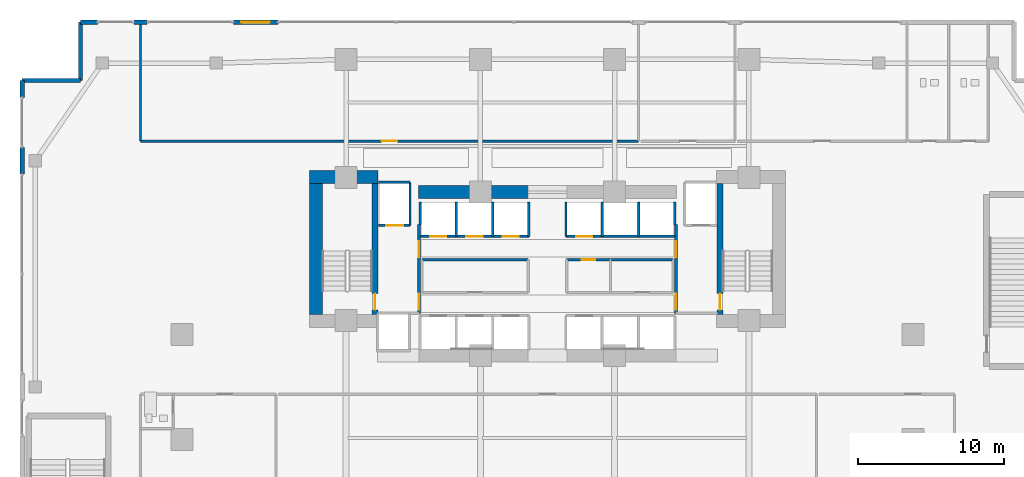
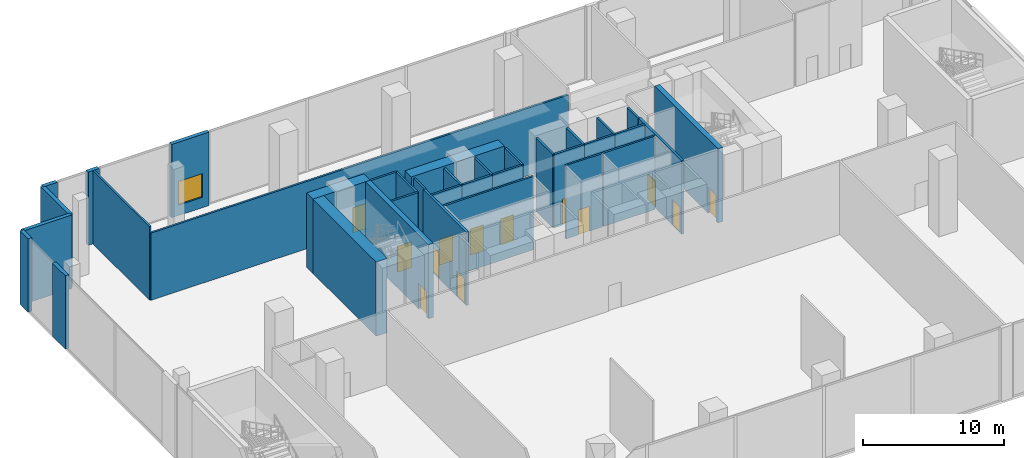
# One storey, part 24 of 30: 36 walls, 13 doors, 1 window, 14 openings.
"""IFC4 building model written with IfcOpenShell, lengths in metres."""

from ifc_helpers import new_model, si_unit, direction, frame, frame_2d, origin, place, context, subcontext, project, spatial, rectangle, extrude, material, layer, layer_set, type_object, element, fill, save


model = new_model("IFC4")

# Units and contexts
model_context = context("Model", 3, precision=1e-05, world=origin(), true_north=direction((0.0, 1.0)))
body_context = subcontext(model_context, "Body", "Model", "MODEL_VIEW")
ifc_project = project(units=[si_unit("LENGTHUNIT", "METRE"), si_unit("AREAUNIT", "SQUARE_METRE"), si_unit("VOLUMEUNIT", "CUBIC_METRE"), si_unit("PLANEANGLEUNIT", "RADIAN"), si_unit("MASSUNIT", "GRAM", prefix="KILO")], contexts=[model_context])

# Site, building, storey
site_placement = place(None, origin())
site = spatial("IfcSite", under=ifc_project, at=site_placement, CompositionType="ELEMENT")
building_placement = place(site_placement, origin())
building = spatial("IfcBuilding", under=site, at=building_placement, Name="Zuhayl Quay Hotel", CompositionType="ELEMENT")
storey_placement = place(building_placement, frame((0.0, 0.0, 11.39990234375)))
storey = spatial("IfcBuildingStorey", under=building, at=storey_placement, Name="L02", CompositionType="ELEMENT", Elevation=11.39990234375)

# Walls
ifc_material_1 = material(Name="Concrete C70/85", Category="concrete")
ifc_layer_1 = layer(ifc_material_1, 0.89990234375, Name="Concrete C70/85", Category="concrete")
ifc_layer_set_1 = layer_set([ifc_layer_1], Name="Concrete C70/85")
wall_type_1 = type_object("IfcWallType", Name="WL_CORE_900", PredefinedType="SHEAR", material=ifc_layer_set_1)
wall_1_placement = place(storey_placement, frame((-16.31005859375, 14.3798828125, 0.0), z_axis=(0.0, 0.0, 1.0), x_axis=(1.0, 0.0, 0.0)))
element("IfcWall", 1, at=wall_1_placement, inside=storey, type_object=wall_type_1, Name="L02 Core Shear Wall CW_NW", PredefinedType="SHEAR", context=body_context, shape_type="SweptSolid", body=[
    extrude(rectangle(XDim=4.7099609375, YDim=0.89990234375, at=frame_2d((2.35498046875, 0.0))), origin(), (0.0, 0.0, 1.0), 6.41015625),
])
wall_2_placement = place(storey_placement, frame((-15.860107421875, 4.969970703125, 0.0), z_axis=(0.0, 0.0, 1.0), x_axis=(0.0, 1.0, 0.0)))
element("IfcWall", 2, at=wall_2_placement, inside=storey, type_object=wall_type_1, Name="L02 Core Shear Wall CW_W", PredefinedType="SHEAR", context=body_context, shape_type="SweptSolid", body=[
    extrude(rectangle(XDim=8.9599609375, YDim=0.89990234375, at=frame_2d((4.47998046875, 0.0))), origin(), (0.0, 0.0, 1.0), 6.41015625),
])
wall_3_placement = place(storey_placement, frame((-8.85009765625, 13.35009765625, 0.0), z_axis=(0.0, 0.0, 1.0), x_axis=(1.0, 0.0, 0.0)))
element("IfcWall", 3, at=wall_3_placement, inside=storey, type_object=wall_type_1, Name="L02 Core Shear Wall CW_NC_W", PredefinedType="SHEAR", context=body_context, shape_type="SweptSolid", body=[
    extrude(rectangle(XDim=7.60009765625, YDim=0.89990234375, at=frame_2d((3.800048828125, 0.0))), origin(), (0.0, 0.0, 1.0), 6.340087890625),
])
ifc_material_2 = material(Name="Precast concrete C45/55", Category="concrete")
ifc_layer_2 = layer(ifc_material_2, 0.300048828125, Name="Precast concrete C45/55", Category="concrete")
ifc_layer_set_2 = layer_set([ifc_layer_2], Name="Precast concrete C45/55")
wall_type_2 = type_object("IfcWallType", Name="WL_EXT_300", PredefinedType="STANDARD", material=ifc_layer_set_2)
wall_4_placement = place(storey_placement, frame((-36.0, 14.580078125, 0.0), z_axis=(0.0, 0.0, 1.0), x_axis=(0.0, 1.0, 0.0)))
element("IfcWall", 4, at=wall_4_placement, inside=storey, type_object=wall_type_2, Name="L02 Exterior Precast Wall ENV_L02_E02_EW4", PredefinedType="STANDARD", context=body_context, shape_type="SweptSolid", body=[
    extrude(rectangle(XDim=1.83984375, YDim=0.300048828125, at=frame_2d((0.919921875, 0.0))), origin(), (0.0, 0.0, 1.0), 6.340087890625),
])
wall_5_placement = place(storey_placement, frame((-36.0, 19.85009765625, 0.0), z_axis=(0.0, 0.0, 1.0), x_axis=(0.0, 1.0, 0.0)))
element("IfcWall", 5, at=wall_5_placement, inside=storey, type_object=wall_type_2, Name="L02 Exterior Precast Wall ENV_L02_E02_EW5", PredefinedType="STANDARD", context=body_context, shape_type="SweptSolid", body=[
    extrude(rectangle(XDim=1.14990234375, YDim=0.300048828125, at=frame_2d((0.574951171875, 0.0))), origin(), (0.0, 0.0, 1.0), 6.340087890625),
])
for number, where, z_axis, x_axis, name in (
    (6, (-36.0, 21.0, 0.0), (0.0, 0.0, 1.0), (1.0, 0.0, 0.0), "L02 Exterior Precast Wall ENV_L02_EW03"),
    (7, (-32.0, 21.0, 0.0), (0.0, 0.0, 1.0), (0.0, 1.0, 0.0), "L02 Exterior Precast Wall ENV_L02_EW04"),
):
    element("IfcWall", number, at=place(storey_placement, frame(where, z_axis=z_axis, x_axis=x_axis)), inside=storey, type_object=wall_type_2, Name=name, PredefinedType="STANDARD", context=body_context, shape_type="SweptSolid", body=[
        extrude(rectangle(XDim=4.0, YDim=0.300048828125, at=frame_2d((2.0, 0.0))), origin(), (0.0, 0.0, 1.0), 6.340087890625),
    ])
wall_6_placement = place(storey_placement, frame((-32.0, 25.0, 0.0), z_axis=(0.0, 0.0, 1.0), x_axis=(1.0, 0.0, 0.0)))
element("IfcWall", 8, at=wall_6_placement, inside=storey, type_object=wall_type_2, Name="L02 Exterior Precast Wall ENV_L02_E05_EW1", PredefinedType="STANDARD", context=body_context, shape_type="SweptSolid", body=[
    extrude(rectangle(XDim=1.14990234375, YDim=0.300048828125, at=frame_2d((0.574951171875, 0.0))), origin(), (0.0, 0.0, 1.0), 6.340087890625),
])
wall_7_placement = place(storey_placement, frame((-28.35009765625, 25.0, 0.0), z_axis=(0.0, 0.0, 1.0), x_axis=(1.0, 0.0, 0.0)))
element("IfcWall", 9, at=wall_7_placement, inside=storey, type_object=wall_type_2, Name="L02 Exterior Precast Wall ENV_L02_E05_EW2", PredefinedType="STANDARD", context=body_context, shape_type="SweptSolid", body=[
    extrude(rectangle(XDim=0.900146484375, YDim=0.300048828125, at=frame_2d((0.4501953125, 0.0))), origin(), (0.0, 0.0, 1.0), 6.340087890625),
])

# Wall, opening, window
wall_8_placement = place(storey_placement, frame((-21.52490234375, 25.0, 0.0), z_axis=(0.0, 0.0, 1.0), x_axis=(1.0, 0.0, 0.0)))
wall_8 = element("IfcWall", 10, at=wall_8_placement, inside=storey, type_object=wall_type_2, Name="L02 Exterior Precast Wall ENV_L02_E05_EW3", PredefinedType="STANDARD", context=body_context, shape_type="SweptSolid", body=[
    extrude(rectangle(XDim=3.0498046875, YDim=0.300048828125, at=frame_2d((1.52490234375, 0.0))), origin(), (0.0, 0.0, 1.0), 6.340087890625),
])
opening_1_placement = place(wall_8_placement, frame((0.550048828125, 0.0, 0.89990234375)))
opening_1 = element("IfcOpeningElement", 11, at=opening_1_placement, cuts=wall_8, Name="Opening W03", PredefinedType="OPENING", context=body_context, shape_type="SweptSolid", body=[
    extrude(rectangle(XDim=1.949951171875, YDim=2.050048828125, at=frame_2d((0.97509765625, 1.02490234375))), frame((0.0, 0.159912109375, 0.0), z_axis=(0.0, -1.0, 0.0), x_axis=(1.0, 0.0, 0.0)), (0.0, 0.0, 1.0), 0.320068359375),
])
ifc_material_3 = material(Name="Low-E Insulated Clear Vision Glass", Category="glass")
window_type = type_object("IfcWindowType", Name="WN_POD_1950", PartitioningType="DOUBLE_PANEL_VERTICAL", PredefinedType="WINDOW", material=ifc_material_3)
window_placement = place(opening_1_placement, origin())
window = element("IfcWindow", 12, at=window_placement, inside=storey, type_object=window_type, Name="L02 Seaward Salon Vision Window", OverallHeight=2.050048828125, OverallWidth=1.949951171875, PartitioningType="SINGLE_PANEL", PredefinedType="WINDOW", context=body_context, shape_type="SweptSolid", body=[
    extrude(rectangle(XDim=1.949951171875, YDim=2.050048828125, at=frame_2d((0.97509765625, 1.02490234375))), frame((0.0, 0.030029296875, 0.0), z_axis=(0.0, -1.0, 0.0), x_axis=(1.0, 0.0, 0.0)), (0.0, 0.0, 1.0), 0.06005859375),
])
fill(opening_1, window)

# Wall, opening, door
ifc_material_4 = material(Name="Acoustic Gypsum Partition STC-58")
ifc_layer_3 = layer(ifc_material_4, 0.14990234375, Name="Acoustic Gypsum Partition STC-58")
ifc_layer_set_3 = layer_set([ifc_layer_3], Name="Acoustic Gypsum Partition STC-58")
wall_type_3 = type_object("IfcWallType", Name="WL_PART_150", PredefinedType="PARTITIONING", material=ifc_layer_set_3)
wall_9_placement = place(storey_placement, frame((1.320068359375, 8.719970703125, 0.0), z_axis=(0.0, 0.0, 1.0), x_axis=(1.0, 0.0, 0.0)))
wall_9 = element("IfcWall", 13, at=wall_9_placement, inside=storey, type_object=wall_type_3, Name="L02 Partition IW_L02_CORE_IT_N", PredefinedType="PARTITIONING", context=body_context, shape_type="SweptSolid", body=[
    extrude(rectangle(XDim=2.989990234375, YDim=0.14990234375, at=frame_2d((1.4951171875, 0.0))), origin(), (0.0, 0.0, 1.0), 6.340087890625),
])
opening_2_placement = place(wall_9_placement, frame((1.044921875, 0.0, 0.0)))
opening_2 = element("IfcOpeningElement", 14, at=opening_2_placement, cuts=wall_9, Name="Opening D06", PredefinedType="OPENING", context=body_context, shape_type="SweptSolid", body=[
    extrude(rectangle(XDim=0.89990234375, YDim=2.14990234375, at=frame_2d((0.449951171875, 1.074951171875))), frame((0.0, 0.0849609375, 0.0), z_axis=(0.0, -1.0, 0.0), x_axis=(1.0, 0.0, 0.0)), (0.0, 0.0, 1.0), 0.169921875),
])
ifc_material_5 = material(Name="Steel ASTM A992 Grade 50", Category="steel")
door_type_1 = type_object("IfcDoorType", Name="DR_INT_900", OperationType="NOTDEFINED", PredefinedType="DOOR", material=ifc_material_5)
door_1_placement = place(opening_2_placement, origin())
door_1 = element("IfcDoor", 15, at=door_1_placement, inside=storey, type_object=door_type_1, Name="L02 Telecom Closet Door", OperationType="SINGLE_SWING_LEFT", OverallHeight=2.14990234375, OverallWidth=0.89990234375, PredefinedType="DOOR", context=body_context, shape_type="SweptSolid", body=[
    extrude(rectangle(XDim=0.89990234375, YDim=2.14990234375, at=frame_2d((0.449951171875, 1.074951171875))), frame((0.0, 0.02490234375, 0.0), z_axis=(0.0, -1.0, 0.0), x_axis=(1.0, 0.0, 0.0)), (0.0, 0.0, 1.0), 0.050048828125),
])
fill(opening_2, door_1)

# Walls
wall_10_placement = place(storey_placement, frame((-8.610107421875, 8.719970703125, 0.0), z_axis=(0.0, 0.0, 1.0), x_axis=(1.0, 0.0, 0.0)))
element("IfcWall", 16, at=wall_10_placement, inside=storey, type_object=wall_type_3, Name="L02 Partition IW_L02_CORE_EL_N", PredefinedType="PARTITIONING", context=body_context, shape_type="SweptSolid", body=[
    extrude(rectangle(XDim=7.2900390625, YDim=0.14990234375, at=frame_2d((3.64501953125, 0.0))), origin(), (0.0, 0.0, 1.0), 6.340087890625),
])
wall_11_placement = place(storey_placement, frame((4.3701171875, 8.719970703125, 0.0), z_axis=(0.0, 0.0, 1.0), x_axis=(1.0, 0.0, 0.0)))
element("IfcWall", 17, at=wall_11_placement, inside=storey, type_object=wall_type_3, Name="L02 Partition IW_L02_CORE_LN_N", PredefinedType="PARTITIONING", context=body_context, shape_type="SweptSolid", body=[
    extrude(rectangle(XDim=4.239990234375, YDim=0.14990234375, at=frame_2d((2.1201171875, 0.0))), origin(), (0.0, 0.0, 1.0), 6.340087890625),
])
wall_12_placement = place(storey_placement, frame((-27.89990234375, 16.85009765625, 0.0), z_axis=(0.0, 0.0, 1.0), x_axis=(0.0, 1.0, 0.0)))
element("IfcWall", 18, at=wall_12_placement, inside=storey, type_object=wall_type_3, Name="L02 Partition IW_L02_SEA_FOYER_W", PredefinedType="PARTITIONING", context=body_context, shape_type="SweptSolid", body=[
    extrude(rectangle(XDim=8.08984375, YDim=0.14990234375, at=frame_2d((4.044921875, 0.0))), origin(), (0.0, 0.0, 1.0), 6.340087890625),
])

# Wall, opening, door
ifc_layer_4 = layer(ifc_material_4, 0.159912109375, Name="Acoustic Gypsum Partition STC-58")
ifc_layer_set_4 = layer_set([ifc_layer_4], Name="Acoustic Gypsum Partition STC-58")
wall_type_4 = type_object("IfcWallType", Name="WL_PART_CORR_160", PredefinedType="PARTITIONING", material=ifc_layer_set_4)
wall_13_placement = place(storey_placement, frame((-27.89990234375, 16.85009765625, 0.0), z_axis=(0.0, 0.0, 1.0), x_axis=(1.0, 0.0, 0.0)))
wall_13 = element("IfcWall", 19, at=wall_13_placement, inside=storey, type_object=wall_type_4, Name="L02 Partition IW_L02_SEA_FOYER_S", PredefinedType="PARTITIONING", context=body_context, shape_type="SweptSolid", body=[
    extrude(rectangle(XDim=34.139892578125, YDim=0.159912109375, at=frame_2d((17.06982421875, 0.0))), origin(), (0.0, 0.0, 1.0), 5.80712890625),
])
opening_3_placement = place(wall_13_placement, frame((16.530029296875, 0.0, 0.0)))
opening_3 = element("IfcOpeningElement", 20, at=opening_3_placement, cuts=wall_13, Name="Opening D05A", PredefinedType="OPENING", context=body_context, shape_type="SweptSolid", body=[
    extrude(rectangle(XDim=1.080078125, YDim=2.179931640625, at=frame_2d((0.5400390625, 1.08984375))), frame((0.0, 0.08984375, 0.0), z_axis=(0.0, -1.0, 0.0), x_axis=(1.0, 0.0, 0.0)), (0.0, 0.0, 1.0), 0.179931640625),
])
ifc_material_6 = material(Name="Solid Walnut Acoustic Fire Door")
door_type_2 = type_object("IfcDoorType", Name="DR_INT_1100", OperationType="NOTDEFINED", PredefinedType="DOOR", material=ifc_material_6)
door_2_placement = place(opening_3_placement, origin())
door_2 = element("IfcDoor", 21, at=door_2_placement, inside=storey, type_object=door_type_2, Name="L02 Ballroom Event Planning Office Door", OperationType="SINGLE_SWING_LEFT", OverallHeight=2.179931640625, OverallWidth=1.080078125, PredefinedType="DOOR", context=body_context, shape_type="SweptSolid", body=[
    extrude(rectangle(XDim=1.080078125, YDim=2.179931640625, at=frame_2d((0.5400390625, 1.08984375))), frame((0.0, 0.02490234375, 0.0), z_axis=(0.0, -1.0, 0.0), x_axis=(1.0, 0.0, 0.0)), (0.0, 0.0, 1.0), 0.050048828125),
])
fill(opening_3, door_2)

ifc_material_7 = material(Name="Gypsum Fireboard Assembly EI-90")
ifc_layer_5 = layer(ifc_material_7, 0.1650390625, Name="Gypsum Fireboard Assembly EI-90")
ifc_layer_set_5 = layer_set([ifc_layer_5], Name="Gypsum Fireboard Assembly EI-90")
wall_type_5 = type_object("IfcWallType", Name="WL_PART_SHAFT_160", PredefinedType="PARTITIONING", material=ifc_layer_set_5)
wall_14_placement = place(storey_placement, frame((-11.580078125, 11.070068359375, 0.0), z_axis=(0.0, 0.0, 1.0), x_axis=(1.0, 0.0, 0.0)))
wall_14 = element("IfcWall", 22, at=wall_14_placement, inside=storey, type_object=wall_type_5, Name="L02 Partition IW_L02_SH_FL1_F", PredefinedType="PARTITIONING", context=body_context, shape_type="SweptSolid", body=[
    extrude(rectangle(XDim=2.16015625, YDim=0.1650390625, at=frame_2d((1.080078125, 0.0))), origin(), (0.0, 0.0, 1.0), 6.340087890625),
])
opening_4_placement = place(wall_14_placement, frame((0.530029296875, 0.0, 0.0)))
opening_4 = element("IfcOpeningElement", 23, at=opening_4_placement, cuts=wall_14, Name="Opening LD2", PredefinedType="OPENING", context=body_context, shape_type="SweptSolid", body=[
    extrude(rectangle(XDim=1.14990234375, YDim=2.25, at=frame_2d((0.574951171875, 1.125))), frame((0.0, 0.092529296875, 0.0), z_axis=(0.0, -1.0, 0.0), x_axis=(1.0, 0.0, 0.0)), (0.0, 0.0, 1.0), 0.18505859375),
])
ifc_material_8 = material(Name="Brushed Stainless Steel", Category="steel")
door_type_3 = type_object("IfcDoorType", Name="DR_LIFT_FF_1100", OperationType="SLIDING_TO_LEFT", PredefinedType="DOOR", material=ifc_material_8)
door_3_placement = place(opening_4_placement, origin())
door_3 = element("IfcDoor", 24, at=door_3_placement, inside=storey, type_object=door_type_3, Name="L02 Lift FL1 Sliding Landing Door", OperationType="SLIDING_TO_LEFT", OverallHeight=2.25, OverallWidth=1.14990234375, PredefinedType="DOOR", context=body_context, shape_type="SweptSolid", body=[
    extrude(rectangle(XDim=1.14990234375, YDim=2.25, at=frame_2d((0.574951171875, 1.125))), frame((0.0, 0.02490234375, 0.0), z_axis=(0.0, -1.0, 0.0), x_axis=(1.0, 0.0, 0.0)), (0.0, 0.0, 1.0), 0.050048828125),
])
fill(opening_4, door_3)

wall_15_placement = place(storey_placement, frame((-8.72998046875, 10.320068359375, 0.0), z_axis=(0.0, 0.0, 1.0), x_axis=(1.0, 0.0, 0.0)))
wall_15 = element("IfcWall", 25, at=wall_15_placement, inside=storey, type_object=wall_type_5, Name="L02 Partition IW_L02_SH_LP3_F", PredefinedType="PARTITIONING", context=body_context, shape_type="SweptSolid", body=[
    extrude(rectangle(XDim=2.47998046875, YDim=0.1650390625, at=frame_2d((1.239990234375, 0.0))), origin(), (0.0, 0.0, 1.0), 6.340087890625),
])
opening_5_placement = place(wall_15_placement, frame((0.68994140625, 0.0, 0.0)))
opening_5 = element("IfcOpeningElement", 26, at=opening_5_placement, cuts=wall_15, Name="Opening LD1", PredefinedType="OPENING", context=body_context, shape_type="SweptSolid", body=[
    extrude(rectangle(XDim=1.10009765625, YDim=2.25, at=frame_2d((0.550048828125, 1.125))), frame((0.0, 0.092529296875, 0.0), z_axis=(0.0, -1.0, 0.0), x_axis=(1.0, 0.0, 0.0)), (0.0, 0.0, 1.0), 0.18505859375),
])
door_type_4 = type_object("IfcDoorType", Name="DR_LIFT_PASS_1100", OperationType="SLIDING_TO_LEFT", PredefinedType="DOOR", material=ifc_material_8)
door_4_placement = place(opening_5_placement, origin())
door_4 = element("IfcDoor", 27, at=door_4_placement, inside=storey, type_object=door_type_4, Name="L02 Lift LP3 Sliding Landing Door", OperationType="SLIDING_TO_LEFT", OverallHeight=2.25, OverallWidth=1.10009765625, PredefinedType="DOOR", context=body_context, shape_type="SweptSolid", body=[
    extrude(rectangle(XDim=1.10009765625, YDim=2.25, at=frame_2d((0.550048828125, 1.125))), frame((0.0, 0.02490234375, 0.0), z_axis=(0.0, -1.0, 0.0), x_axis=(1.0, 0.0, 0.0)), (0.0, 0.0, 1.0), 0.050048828125),
])
fill(opening_5, door_4)

wall_16_placement = place(storey_placement, frame((-6.25, 10.320068359375, 0.0), z_axis=(0.0, 0.0, 1.0), x_axis=(1.0, 0.0, 0.0)))
wall_16 = element("IfcWall", 28, at=wall_16_placement, inside=storey, type_object=wall_type_5, Name="L02 Partition IW_L02_SH_LP4_F", PredefinedType="PARTITIONING", context=body_context, shape_type="SweptSolid", body=[
    extrude(rectangle(XDim=2.5, YDim=0.1650390625, at=frame_2d((1.25, 0.0))), origin(), (0.0, 0.0, 1.0), 6.340087890625),
])
opening_6_placement = place(wall_16_placement, frame((0.699951171875, 0.0, 0.0)))
opening_6 = element("IfcOpeningElement", 29, at=opening_6_placement, cuts=wall_16, Name="Opening LD1", PredefinedType="OPENING", context=body_context, shape_type="SweptSolid", body=[
    extrude(rectangle(XDim=1.10009765625, YDim=2.25, at=frame_2d((0.550048828125, 1.125))), frame((0.0, 0.092529296875, 0.0), z_axis=(0.0, -1.0, 0.0), x_axis=(1.0, 0.0, 0.0)), (0.0, 0.0, 1.0), 0.18505859375),
])
door_5_placement = place(opening_6_placement, origin())
door_5 = element("IfcDoor", 30, at=door_5_placement, inside=storey, type_object=door_type_4, Name="L02 Lift LP4 Sliding Landing Door", OperationType="SLIDING_TO_LEFT", OverallHeight=2.25, OverallWidth=1.10009765625, PredefinedType="DOOR", context=body_context, shape_type="SweptSolid", body=[
    extrude(rectangle(XDim=1.10009765625, YDim=2.25, at=frame_2d((0.550048828125, 1.125))), frame((0.0, 0.02490234375, 0.0), z_axis=(0.0, -1.0, 0.0), x_axis=(1.0, 0.0, 0.0)), (0.0, 0.0, 1.0), 0.050048828125),
])
fill(opening_6, door_5)

wall_17_placement = place(storey_placement, frame((-3.75, 10.320068359375, 0.0), z_axis=(0.0, 0.0, 1.0), x_axis=(1.0, 0.0, 0.0)))
wall_17 = element("IfcWall", 31, at=wall_17_placement, inside=storey, type_object=wall_type_5, Name="L02 Partition IW_L02_SH_MP3_F", PredefinedType="PARTITIONING", context=body_context, shape_type="SweptSolid", body=[
    extrude(rectangle(XDim=2.47998046875, YDim=0.1650390625, at=frame_2d((1.239990234375, 0.0))), origin(), (0.0, 0.0, 1.0), 6.340087890625),
])
opening_7_placement = place(wall_17_placement, frame((0.68994140625, 0.0, 0.0)))
opening_7 = element("IfcOpeningElement", 32, at=opening_7_placement, cuts=wall_17, Name="Opening LD1", PredefinedType="OPENING", context=body_context, shape_type="SweptSolid", body=[
    extrude(rectangle(XDim=1.10009765625, YDim=2.25, at=frame_2d((0.550048828125, 1.125))), frame((0.0, 0.092529296875, 0.0), z_axis=(0.0, -1.0, 0.0), x_axis=(1.0, 0.0, 0.0)), (0.0, 0.0, 1.0), 0.18505859375),
])
door_6_placement = place(opening_7_placement, origin())
door_6 = element("IfcDoor", 33, at=door_6_placement, inside=storey, type_object=door_type_4, Name="L02 Lift MP3 Sliding Landing Door", OperationType="SLIDING_TO_LEFT", OverallHeight=2.25, OverallWidth=1.10009765625, PredefinedType="DOOR", context=body_context, shape_type="SweptSolid", body=[
    extrude(rectangle(XDim=1.10009765625, YDim=2.25, at=frame_2d((0.550048828125, 1.125))), frame((0.0, 0.02490234375, 0.0), z_axis=(0.0, -1.0, 0.0), x_axis=(1.0, 0.0, 0.0)), (0.0, 0.0, 1.0), 0.050048828125),
])
fill(opening_7, door_6)

wall_18_placement = place(storey_placement, frame((1.27001953125, 10.320068359375, 0.0), z_axis=(0.0, 0.0, 1.0), x_axis=(1.0, 0.0, 0.0)))
wall_18 = element("IfcWall", 34, at=wall_18_placement, inside=storey, type_object=wall_type_5, Name="L02 Partition IW_L02_SH_MP4_F", PredefinedType="PARTITIONING", context=body_context, shape_type="SweptSolid", body=[
    extrude(rectangle(XDim=2.47998046875, YDim=0.1650390625, at=frame_2d((1.239990234375, 0.0))), origin(), (0.0, 0.0, 1.0), 6.340087890625),
])
opening_8_placement = place(wall_18_placement, frame((0.68994140625, 0.0, 0.0)))
opening_8 = element("IfcOpeningElement", 35, at=opening_8_placement, cuts=wall_18, Name="Opening LD1", PredefinedType="OPENING", context=body_context, shape_type="SweptSolid", body=[
    extrude(rectangle(XDim=1.10009765625, YDim=2.25, at=frame_2d((0.550048828125, 1.125))), frame((0.0, 0.092529296875, 0.0), z_axis=(0.0, -1.0, 0.0), x_axis=(1.0, 0.0, 0.0)), (0.0, 0.0, 1.0), 0.18505859375),
])
door_7_placement = place(opening_8_placement, origin())
door_7 = element("IfcDoor", 36, at=door_7_placement, inside=storey, type_object=door_type_4, Name="L02 Lift MP4 Sliding Landing Door", OperationType="SLIDING_TO_LEFT", OverallHeight=2.25, OverallWidth=1.10009765625, PredefinedType="DOOR", context=body_context, shape_type="SweptSolid", body=[
    extrude(rectangle(XDim=1.10009765625, YDim=2.25, at=frame_2d((0.550048828125, 1.125))), frame((0.0, 0.02490234375, 0.0), z_axis=(0.0, -1.0, 0.0), x_axis=(1.0, 0.0, 0.0)), (0.0, 0.0, 1.0), 0.050048828125),
])
fill(opening_8, door_7)

# Walls
wall_19_placement = place(storey_placement, frame((-9.419921875, 11.070068359375, 0.0), z_axis=(0.0, 0.0, 1.0), x_axis=(0.0, 1.0, 0.0)))
element("IfcWall", 37, at=wall_19_placement, inside=storey, type_object=wall_type_5, Name="L02 Partition IW_L02_SH_FL1_E", PredefinedType="PARTITIONING", context=body_context, shape_type="SweptSolid", body=[
    extrude(rectangle(XDim=2.9599609375, YDim=0.1650390625, at=frame_2d((1.47998046875, 0.0))), origin(), (0.0, 0.0, 1.0), 6.340087890625),
])
wall_20_placement = place(storey_placement, frame((-11.580078125, 14.030029296875, 0.0), z_axis=(0.0, 0.0, 1.0), x_axis=(1.0, 0.0, 0.0)))
element("IfcWall", 38, at=wall_20_placement, inside=storey, type_object=wall_type_5, Name="L02 Partition IW_L02_SH_FL1_B", PredefinedType="PARTITIONING", context=body_context, shape_type="SweptSolid", body=[
    extrude(rectangle(XDim=2.16015625, YDim=0.1650390625, at=frame_2d((1.080078125, 0.0))), origin(), (0.0, 0.0, 1.0), 6.340087890625),
])
wall_21_placement = place(storey_placement, frame((-8.72998046875, 11.14990234375, 0.0), z_axis=(0.0, 0.0, 1.0), x_axis=(0.0, 1.0, 0.0)))
element("IfcWall", 39, at=wall_21_placement, inside=storey, type_object=wall_type_5, Name="L02 Partition IW_L02_SH_LP3_W", PredefinedType="PARTITIONING", context=body_context, shape_type="SweptSolid", body=[
    extrude(rectangle(XDim=1.530029296875, YDim=0.1650390625, at=frame_2d((0.76513671875, 0.0))), origin(), (0.0, 0.0, 1.0), 6.340087890625),
])
for number, where, z_axis, x_axis, name in (
    (40, (-6.25, 10.320068359375, 0.0), (0.0, 0.0, 1.0), (0.0, 1.0, 0.0), "L02 Partition IW_L02_SH_LP3_E"),
    (41, (-3.75, 10.320068359375, 0.0), (0.0, 0.0, 1.0), (0.0, 1.0, 0.0), "L02 Partition IW_L02_SH_LP4_E"),
    (42, (-1.27001953125, 10.320068359375, 0.0), (0.0, 0.0, 1.0), (0.0, 1.0, 0.0), "L02 Partition IW_L02_SH_MP3_E"),
    (43, (1.27001953125, 10.320068359375, 0.0), (0.0, 0.0, 1.0), (0.0, 1.0, 0.0), "L02 Partition IW_L02_SH_MP4_W"),
    (44, (3.75, 10.320068359375, 0.0), (0.0, 0.0, 1.0), (0.0, 1.0, 0.0), "L02 Partition IW_L02_SH_MP4_E"),
):
    element("IfcWall", number, at=place(storey_placement, frame(where, z_axis=z_axis, x_axis=x_axis)), inside=storey, type_object=wall_type_5, Name=name, PredefinedType="PARTITIONING", context=body_context, shape_type="SweptSolid", body=[
        extrude(rectangle(XDim=2.35986328125, YDim=0.1650390625, at=frame_2d((1.179931640625, 0.0))), origin(), (0.0, 0.0, 1.0), 6.340087890625),
    ])
wall_22_placement = place(storey_placement, frame((3.75, 10.320068359375, 0.0), z_axis=(0.0, 0.0, 1.0), x_axis=(1.0, 0.0, 0.0)))
element("IfcWall", 45, at=wall_22_placement, inside=storey, type_object=wall_type_5, Name="L02 Partition IW_L02_SH_HP3_F", PredefinedType="PARTITIONING", context=body_context, shape_type="SweptSolid", body=[
    extrude(rectangle(XDim=2.5, YDim=0.1650390625, at=frame_2d((1.25, 0.0))), origin(), (0.0, 0.0, 1.0), 6.340087890625),
])
wall_23_placement = place(storey_placement, frame((6.25, 10.320068359375, 0.0), z_axis=(0.0, 0.0, 1.0), x_axis=(0.0, 1.0, 0.0)))
element("IfcWall", 46, at=wall_23_placement, inside=storey, type_object=wall_type_5, Name="L02 Partition IW_L02_SH_HP3_E", PredefinedType="PARTITIONING", context=body_context, shape_type="SweptSolid", body=[
    extrude(rectangle(XDim=2.35986328125, YDim=0.1650390625, at=frame_2d((1.179931640625, 0.0))), origin(), (0.0, 0.0, 1.0), 6.340087890625),
])
wall_24_placement = place(storey_placement, frame((6.25, 10.320068359375, 0.0), z_axis=(0.0, 0.0, 1.0), x_axis=(1.0, 0.0, 0.0)))
element("IfcWall", 47, at=wall_24_placement, inside=storey, type_object=wall_type_5, Name="L02 Partition IW_L02_SH_HP4_F", PredefinedType="PARTITIONING", context=body_context, shape_type="SweptSolid", body=[
    extrude(rectangle(XDim=2.47998046875, YDim=0.1650390625, at=frame_2d((1.239990234375, 0.0))), origin(), (0.0, 0.0, 1.0), 6.340087890625),
])
wall_25_placement = place(storey_placement, frame((8.72998046875, 11.14990234375, 0.0), z_axis=(0.0, 0.0, 1.0), x_axis=(0.0, 1.0, 0.0)))
element("IfcWall", 48, at=wall_25_placement, inside=storey, type_object=wall_type_5, Name="L02 Partition IW_L02_SH_HP4_E", PredefinedType="PARTITIONING", context=body_context, shape_type="SweptSolid", body=[
    extrude(rectangle(XDim=1.530029296875, YDim=0.1650390625, at=frame_2d((0.76513671875, 0.0))), origin(), (0.0, 0.0, 1.0), 6.340087890625),
])

# Wall, openings, doors
ifc_material_9 = material(Name="Gypsum Fireboard Assembly EI-120")
ifc_layer_6 = layer(ifc_material_9, 0.199951171875, Name="Gypsum Fireboard Assembly EI-120")
ifc_layer_set_6 = layer_set([ifc_layer_6], Name="Gypsum Fireboard Assembly EI-120")
wall_type_6 = type_object("IfcWallType", Name="WL_PART_SHAFT_200", PredefinedType="PARTITIONING", material=ifc_layer_set_6)
wall_26_placement = place(storey_placement, frame((-8.800048828125, 5.050048828125, 0.0), z_axis=(0.0, 0.0, 1.0), x_axis=(0.0, 1.0, 0.0)))
wall_26 = element("IfcWall", 49, at=wall_26_placement, inside=storey, type_object=wall_type_6, Name="L02 Partition IW_L02_FSAE_W_E", PredefinedType="PARTITIONING", context=body_context, shape_type="SweptSolid", body=[
    extrude(rectangle(XDim=6.099853515625, YDim=0.199951171875, at=frame_2d((3.0498046875, 0.0))), origin(), (0.0, 0.0, 1.0), 6.340087890625),
])
opening_9_placement = place(wall_26_placement, frame((0.25, 0.0, 0.0)))
opening_9 = element("IfcOpeningElement", 50, at=opening_9_placement, cuts=wall_26, Name="Opening D02", PredefinedType="OPENING", context=body_context, shape_type="SweptSolid", body=[
    extrude(rectangle(XDim=1.10009765625, YDim=2.199951171875, at=frame_2d((0.550048828125, 1.10009765625))), frame((0.0, 0.10986328125, 0.0), z_axis=(0.0, -1.0, 0.0), x_axis=(1.0, 0.0, 0.0)), (0.0, 0.0, 1.0), 0.219970703125),
])
opening_10_placement = place(wall_26_placement, frame((3.85009765625, 0.0, 0.0)))
opening_10 = element("IfcOpeningElement", 51, at=opening_10_placement, cuts=wall_26, Name="Opening D02", PredefinedType="OPENING", context=body_context, shape_type="SweptSolid", body=[
    extrude(rectangle(XDim=1.10009765625, YDim=2.199951171875, at=frame_2d((0.550048828125, 1.10009765625))), frame((0.0, 0.10986328125, 0.0), z_axis=(0.0, -1.0, 0.0), x_axis=(1.0, 0.0, 0.0)), (0.0, 0.0, 1.0), 0.219970703125),
])
door_type_5 = type_object("IfcDoorType", Name="DR_FIRE_90_1100", OperationType="NOTDEFINED", PredefinedType="DOOR", material=ifc_material_5)
door_8_placement = place(opening_9_placement, origin())
door_8 = element("IfcDoor", 52, at=door_8_placement, inside=storey, type_object=door_type_5, Name="L02 FSAE Lobby West South Entry Door", OperationType="SINGLE_SWING_RIGHT", OverallHeight=2.199951171875, OverallWidth=1.10009765625, PredefinedType="DOOR", context=body_context, shape_type="SweptSolid", body=[
    extrude(rectangle(XDim=1.10009765625, YDim=2.199951171875, at=frame_2d((0.550048828125, 1.10009765625))), frame((0.0, 0.02490234375, 0.0), z_axis=(0.0, -1.0, 0.0), x_axis=(1.0, 0.0, 0.0)), (0.0, 0.0, 1.0), 0.050048828125),
])
fill(opening_9, door_8)
door_9_placement = place(opening_10_placement, origin())
door_9 = element("IfcDoor", 53, at=door_9_placement, inside=storey, type_object=door_type_5, Name="L02 FSAE Lobby West North Entry Door", OperationType="SINGLE_SWING_LEFT", OverallHeight=2.199951171875, OverallWidth=1.10009765625, PredefinedType="DOOR", context=body_context, shape_type="SweptSolid", body=[
    extrude(rectangle(XDim=1.10009765625, YDim=2.199951171875, at=frame_2d((0.550048828125, 1.10009765625))), frame((0.0, 0.02490234375, 0.0), z_axis=(0.0, -1.0, 0.0), x_axis=(1.0, 0.0, 0.0)), (0.0, 0.0, 1.0), 0.050048828125),
])
fill(opening_10, door_9)

wall_27_placement = place(storey_placement, frame((8.800048828125, 11.14990234375, 0.0), z_axis=(0.0, 0.0, 1.0), x_axis=(0.0, -1.0, 0.0)))
wall_27 = element("IfcWall", 54, at=wall_27_placement, inside=storey, type_object=wall_type_6, Name="L02 Partition IW_L02_FSAE_E_W", PredefinedType="PARTITIONING", context=body_context, shape_type="SweptSolid", body=[
    extrude(rectangle(XDim=6.099853515625, YDim=0.199951171875, at=frame_2d((3.0498046875, 0.0))), origin(), (0.0, 0.0, 1.0), 6.340087890625),
])
opening_11_placement = place(wall_27_placement, frame((1.14990234375, 0.0, 0.0)))
opening_11 = element("IfcOpeningElement", 55, at=opening_11_placement, cuts=wall_27, Name="Opening D02", PredefinedType="OPENING", context=body_context, shape_type="SweptSolid", body=[
    extrude(rectangle(XDim=1.10009765625, YDim=2.199951171875, at=frame_2d((0.550048828125, 1.10009765625))), frame((0.0, 0.10986328125, 0.0), z_axis=(0.0, -1.0, 0.0), x_axis=(1.0, 0.0, 0.0)), (0.0, 0.0, 1.0), 0.219970703125),
])
opening_12_placement = place(wall_27_placement, frame((4.75, 0.0, 0.0)))
opening_12 = element("IfcOpeningElement", 56, at=opening_12_placement, cuts=wall_27, Name="Opening D02", PredefinedType="OPENING", context=body_context, shape_type="SweptSolid", body=[
    extrude(rectangle(XDim=1.10009765625, YDim=2.199951171875, at=frame_2d((0.550048828125, 1.10009765625))), frame((0.0, 0.10986328125, 0.0), z_axis=(0.0, -1.0, 0.0), x_axis=(1.0, 0.0, 0.0)), (0.0, 0.0, 1.0), 0.219970703125),
])
door_10_placement = place(opening_11_placement, origin())
door_10 = element("IfcDoor", 57, at=door_10_placement, inside=storey, type_object=door_type_5, Name="L02 FSAE Lobby East North Entry Door", OperationType="SINGLE_SWING_RIGHT", OverallHeight=2.199951171875, OverallWidth=1.10009765625, PredefinedType="DOOR", context=body_context, shape_type="SweptSolid", body=[
    extrude(rectangle(XDim=1.10009765625, YDim=2.199951171875, at=frame_2d((0.550048828125, 1.10009765625))), frame((0.0, 0.02490234375, 0.0), z_axis=(0.0, -1.0, 0.0), x_axis=(1.0, 0.0, 0.0)), (0.0, 0.0, 1.0), 0.050048828125),
])
fill(opening_11, door_10)
door_11_placement = place(opening_12_placement, origin())
door_11 = element("IfcDoor", 58, at=door_11_placement, inside=storey, type_object=door_type_5, Name="L02 FSAE Lobby East South Entry Door", OperationType="SINGLE_SWING_LEFT", OverallHeight=2.199951171875, OverallWidth=1.10009765625, PredefinedType="DOOR", context=body_context, shape_type="SweptSolid", body=[
    extrude(rectangle(XDim=1.10009765625, YDim=2.199951171875, at=frame_2d((0.550048828125, 1.10009765625))), frame((0.0, 0.02490234375, 0.0), z_axis=(0.0, -1.0, 0.0), x_axis=(1.0, 0.0, 0.0)), (0.0, 0.0, 1.0), 0.050048828125),
])
fill(opening_12, door_11)

# Wall, opening, door
ifc_material_10 = material(Name="Concrete C60/75", Category="concrete")
ifc_layer_7 = layer(ifc_material_10, 0.39990234375, Name="Concrete C60/75", Category="concrete")
ifc_layer_set_7 = layer_set([ifc_layer_7], Name="Concrete C60/75")
wall_type_7 = type_object("IfcWallType", Name="WL_STAIR_400", PredefinedType="SHEAR", material=ifc_layer_set_7)
wall_28_placement = place(storey_placement, frame((-11.820068359375, 4.969970703125, 0.0), z_axis=(0.0, 0.0, 1.0), x_axis=(0.0, 1.0, 0.0)))
wall_28 = element("IfcWall", 59, at=wall_28_placement, inside=storey, type_object=wall_type_7, Name="L02 Core Shear Wall SW_ST1", PredefinedType="SHEAR", context=body_context, shape_type="SweptSolid", body=[
    extrude(rectangle(XDim=8.9599609375, YDim=0.39990234375, at=frame_2d((4.47998046875, 0.0))), origin(), (0.0, 0.0, 1.0), 6.41015625),
])
opening_13_placement = place(wall_28_placement, frame((0.31005859375, 0.0, 0.0)))
opening_13 = element("IfcOpeningElement", 60, at=opening_13_placement, cuts=wall_28, Name="Opening D01", PredefinedType="OPENING", context=body_context, shape_type="SweptSolid", body=[
    extrude(rectangle(XDim=1.1201171875, YDim=2.219970703125, at=frame_2d((0.56005859375, 1.10986328125))), frame((0.0, 0.2099609375, 0.0), z_axis=(0.0, -1.0, 0.0), x_axis=(1.0, 0.0, 0.0)), (0.0, 0.0, 1.0), 0.419921875),
])
door_type_6 = type_object("IfcDoorType", Name="DR_STAIR_90_1100", OperationType="NOTDEFINED", PredefinedType="DOOR", material=ifc_material_5)
door_12_placement = place(opening_13_placement, origin())
door_12 = element("IfcDoor", 61, at=door_12_placement, inside=storey, type_object=door_type_6, Name="L02 Smokeproof Exit Stair ST1 Door", OperationType="SINGLE_SWING_LEFT", OverallHeight=2.219970703125, OverallWidth=1.1201171875, PredefinedType="DOOR", context=body_context, shape_type="SweptSolid", body=[
    extrude(rectangle(XDim=1.1201171875, YDim=2.219970703125, at=frame_2d((0.56005859375, 1.10986328125))), frame((0.0, 0.02490234375, 0.0), z_axis=(0.0, -1.0, 0.0), x_axis=(1.0, 0.0, 0.0)), (0.0, 0.0, 1.0), 0.050048828125),
])
fill(opening_13, door_12)

wall_29_placement = place(storey_placement, frame((11.820068359375, 13.929931640625, 0.0), z_axis=(0.0, 0.0, 1.0), x_axis=(0.0, -1.0, 0.0)))
wall_29 = element("IfcWall", 62, at=wall_29_placement, inside=storey, type_object=wall_type_7, Name="L02 Core Shear Wall SW_ST2", PredefinedType="SHEAR", context=body_context, shape_type="SweptSolid", body=[
    extrude(rectangle(XDim=8.9599609375, YDim=0.39990234375, at=frame_2d((4.47998046875, 0.0))), origin(), (0.0, 0.0, 1.0), 6.41015625),
])
opening_14_placement = place(wall_29_placement, frame((7.530029296875, 0.0, 0.0)))
opening_14 = element("IfcOpeningElement", 63, at=opening_14_placement, cuts=wall_29, Name="Opening D01", PredefinedType="OPENING", context=body_context, shape_type="SweptSolid", body=[
    extrude(rectangle(XDim=1.1201171875, YDim=2.219970703125, at=frame_2d((0.56005859375, 1.10986328125))), frame((0.0, 0.2099609375, 0.0), z_axis=(0.0, -1.0, 0.0), x_axis=(1.0, 0.0, 0.0)), (0.0, 0.0, 1.0), 0.419921875),
])
door_13_placement = place(opening_14_placement, origin())
door_13 = element("IfcDoor", 64, at=door_13_placement, inside=storey, type_object=door_type_6, Name="L02 Smokeproof Exit Stair ST2 Door", OperationType="SINGLE_SWING_RIGHT", OverallHeight=2.219970703125, OverallWidth=1.1201171875, PredefinedType="DOOR", context=body_context, shape_type="SweptSolid", body=[
    extrude(rectangle(XDim=1.1201171875, YDim=2.219970703125, at=frame_2d((0.56005859375, 1.10986328125))), frame((0.0, 0.02490234375, 0.0), z_axis=(0.0, -1.0, 0.0), x_axis=(1.0, 0.0, 0.0)), (0.0, 0.0, 1.0), 0.050048828125),
])
fill(opening_14, door_13)

save(model, "model.ifc")
